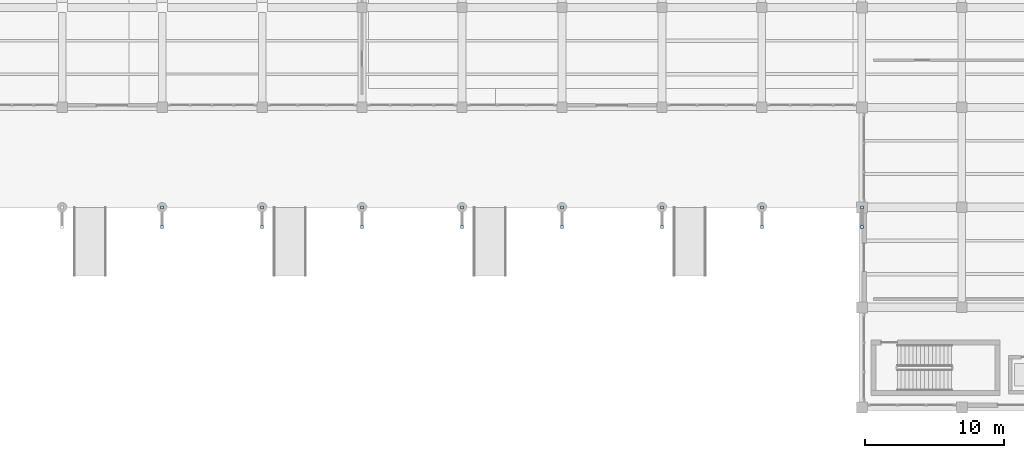
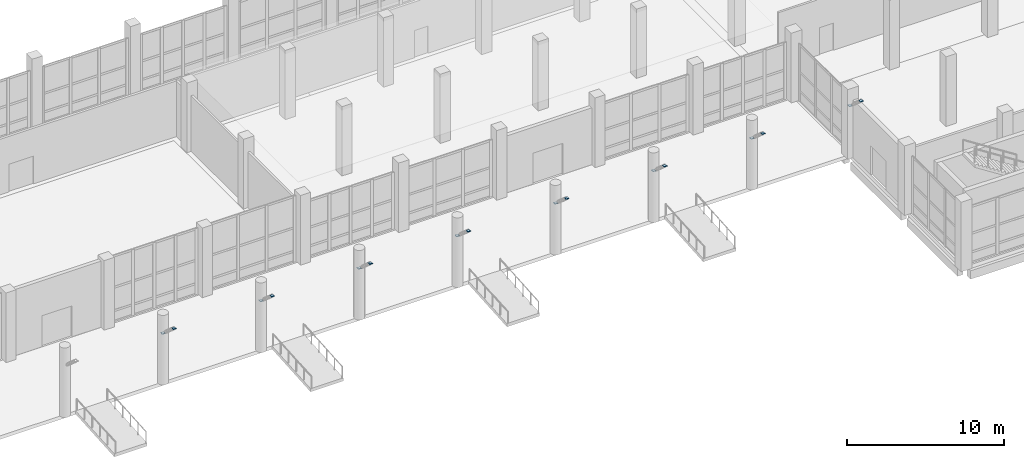
# One storey, part 99 of 137: 16 plates.
"""IFC4 building model written with IfcOpenShell, lengths in metres."""

import ifcopenshell
import ifcopenshell.guid

model = None  # the IFC model being written
_history = None  # IfcOwnerHistory: only IFC2X3 demands one
_inside = {}  # id of a spatial element -> (the spatial element, [elements in it])
_under = {}  # id of a project, library or spatial element -> (it, [spatial elements below it])
_declared = {}  # id of a project -> (the project, [libraries it declares])
_typed = {}  # id of a type object -> (the type object, [elements of that type])
_made_of = {}  # id of a material, layer set ... -> (it, [elements and type objects made of it])


def new_model(schema):
    """Start an empty IFC model of exactly this schema.

    Asked for "IFC4X3", IfcOpenShell would pick the latest addendum, in which some entities
    have other attributes; the version numbers below select the first issue.
    IFC2X3 requires an IfcOwnerHistory on every rooted entity: one is made here for all.
    """
    global model, _history
    if schema == "IFC4X3":
        model = ifcopenshell.file(schema_version=(4, 3, 0, 0))
    else:
        model = ifcopenshell.file(schema=schema)
    _inside.clear()
    _under.clear()
    _declared.clear()
    _typed.clear()
    _made_of.clear()
    _history = None
    if model.schema == "IFC2X3":
        org = make("IfcOrganization", Name="unknown")
        user = make(
            "IfcPersonAndOrganization",
            ThePerson=make("IfcPerson", FamilyName="unknown"),
            TheOrganization=org,
        )
        app = make(
            "IfcApplication",
            ApplicationDeveloper=org,
            Version="unknown",
            ApplicationFullName="unknown",
            ApplicationIdentifier="unknown",
        )
        _history = make(
            "IfcOwnerHistory",
            OwningUser=user,
            OwningApplication=app,
            ChangeAction="ADDED",
            CreationDate=0,
        )
    return model


def make(cls, **values):
    """One entity of the class cls with the attributes given. An attribute that is None is left unset."""
    return model.create_entity(
        cls, **{name: value for name, value in values.items() if value is not None}
    )


def rooted(cls, **values):
    """An entity with a GlobalId (a new one), such as an element, a storey or a relation."""
    return make(cls, GlobalId=ifcopenshell.guid.new(), OwnerHistory=_history, **values)


def si_unit(unit_type, name, prefix=None):
    """IfcSIUnit, for example si_unit("LENGTHUNIT", "METRE", prefix="MILLI")."""
    return make("IfcSIUnit", UnitType=unit_type, Prefix=prefix, Name=name)


def assignment(units):
    """IfcUnitAssignment: the units of a project."""
    return None if units is None else make("IfcUnitAssignment", Units=units)


def point(xyz):
    """IfcCartesianPoint."""
    return None if xyz is None else make("IfcCartesianPoint", Coordinates=xyz)


def direction(xyz):
    """IfcDirection."""
    return None if xyz is None else make("IfcDirection", DirectionRatios=xyz)


def frame(location, z_axis=None, x_axis=None):
    """IfcAxis2Placement3D, a coordinate frame: its origin and axes. An axis left out is left unset."""
    return make(
        "IfcAxis2Placement3D",
        Location=point(location),
        Axis=direction(z_axis),
        RefDirection=direction(x_axis),
    )


def frame_2d(location, x_axis=None):
    """IfcAxis2Placement2D, a coordinate frame in the plane: its origin and x axis."""
    return make(
        "IfcAxis2Placement2D", Location=point(location), RefDirection=direction(x_axis)
    )


def origin():
    """The frame at (0, 0, 0) with its axes left unset."""
    return frame((0.0, 0.0, 0.0))


def origin_2d():
    """The frame at (0, 0) in the plane with its x axis left unset."""
    return frame_2d((0.0, 0.0))


def place(relative_to, where):
    """IfcLocalPlacement: puts the frame where relative to a parent placement (None: the world)."""
    return make(
        "IfcLocalPlacement", PlacementRelTo=relative_to, RelativePlacement=where
    )


def context(
    kind, dimensions, precision=None, world=None, true_north=None, identifier=None
):
    """IfcGeometricRepresentationContext, for example the 3D "Model" context."""
    return make(
        "IfcGeometricRepresentationContext",
        ContextIdentifier=identifier,
        ContextType=kind,
        CoordinateSpaceDimension=dimensions,
        Precision=precision,
        WorldCoordinateSystem=world,
        TrueNorth=true_north,
    )


def subcontext(parent, identifier, kind, view, scale=None):
    """IfcGeometricRepresentationSubContext, for example "Body" below "Model"."""
    return make(
        "IfcGeometricRepresentationSubContext",
        ContextIdentifier=identifier,
        ContextType=kind,
        ParentContext=parent,
        TargetScale=scale,
        TargetView=view,
    )


def project(units=None, contexts=None):
    """IfcProject with its units and contexts."""
    return rooted(
        "IfcProject",
        Name="project",
        RepresentationContexts=contexts,
        UnitsInContext=assignment(units),
    )


def spatial(cls, under=None, at=None, **own):
    """A site, building, storey or space (cls), placed at a placement, below another one or the project."""
    s = rooted(cls, ObjectPlacement=at, **own)
    if under is not None:
        _under.setdefault(under.id(), (under, []))[1].append(s)
    return s


def profile(cls, at=None, kind="AREA", **sizes):
    """A parametric profile (cls). Its sizes go by their IFC names, for example OverallWidth=200.0."""
    return make(cls, ProfileType=kind, Position=at, **sizes)


def rectangle(**sizes):
    """IfcRectangleProfileDef."""
    return profile("IfcRectangleProfileDef", **sizes)


def extrude(swept, where, along, depth):
    """IfcExtrudedAreaSolid: the profile swept, set in the frame where, extruded along a direction by depth."""
    return make(
        "IfcExtrudedAreaSolid",
        SweptArea=swept,
        Position=where,
        ExtrudedDirection=direction(along),
        Depth=depth,
    )


def shape(context_of_items, identifier, shape_type, items):
    """IfcShapeRepresentation: the items that make up one representation, for example the "Body"."""
    return make(
        "IfcShapeRepresentation",
        ContextOfItems=context_of_items,
        RepresentationIdentifier=identifier,
        RepresentationType=shape_type,
        Items=items,
    )


def material(Name=None, Category=None):
    """IfcMaterial."""
    return make("IfcMaterial", Name=Name, Category=Category)


def layer(
    of_material, thickness, ventilated=None, Name=None, Category=None, Priority=None
):
    """IfcMaterialLayer: one layer of a wall or slab, of a material (None: an air gap)."""
    return make(
        "IfcMaterialLayer",
        Material=of_material,
        LayerThickness=thickness,
        IsVentilated=ventilated,
        Name=Name,
        Category=Category,
        Priority=Priority,
    )


def layer_set(layers, Name=None):
    """IfcMaterialLayerSet."""
    return make("IfcMaterialLayerSet", MaterialLayers=layers, LayerSetName=Name)


def made_of(thing, what):
    """Note that an element or type object is made of a material, layer set ...; save() writes the relation."""
    if what is not None:
        _made_of.setdefault(what.id(), (what, []))[1].append(thing)
    return thing


def type_object(cls, material=None, **own):
    """A type object (cls), such as IfcWallType, which elements share."""
    return made_of(rooted(cls, **own), material)


def element(
    cls,
    number,
    at=None,
    inside=None,
    cuts=None,
    type_object=None,
    material=None,
    context=None,
    identifier="Body",
    shape_type=None,
    held_by="IfcProductDefinitionShape",
    body=None,
    shapes=None,
    **own,
):
    """One element of the class cls, such as IfcWall. Its Tag is "e" and its number.

    at: its placement. inside: the storey or other place that contains it. cuts: it is an
    opening in that element (IfcRelVoidsElement). A single representation is given by context,
    identifier, shape_type and body (its items); several are given by shapes. held_by: the class
    of the entity that holds the representations. save() writes the other relations.
    """
    e = rooted(cls, Tag="e%d" % number, ObjectPlacement=at, **own)
    if body is not None:
        shapes = [shape(context, identifier, shape_type, body)]
    if shapes is not None:
        e.Representation = make(held_by, Representations=shapes)
    if inside is not None:
        _inside.setdefault(inside.id(), (inside, []))[1].append(e)
    if cuts is not None:
        rooted(
            "IfcRelVoidsElement", RelatingBuildingElement=cuts, RelatedOpeningElement=e
        )
    if type_object is not None:
        _typed.setdefault(type_object.id(), (type_object, []))[1].append(e)
    return made_of(e, material)


def aggregate(whole, parts):
    """IfcRelAggregates: a whole, such as a stair, and the parts it consists of."""
    return rooted("IfcRelAggregates", RelatingObject=whole, RelatedObjects=parts)


def save(model, path):
    """Write the relations noted so far, then the file.

    IfcRelAggregates (storeys below a building ...), IfcRelContainedInSpatialStructure (elements
    in a storey), IfcRelDefinesByType, IfcRelAssociatesMaterial and IfcRelDeclares: one each for
    every whole, place, type object, material and project.
    """
    for whole, parts in _under.values():
        aggregate(whole, parts)
    for where, things in _inside.values():
        rooted(
            "IfcRelContainedInSpatialStructure",
            RelatedElements=things,
            RelatingStructure=where,
        )
    for kind, things in _typed.values():
        rooted("IfcRelDefinesByType", RelatedObjects=things, RelatingType=kind)
    for what, things in _made_of.values():
        rooted("IfcRelAssociatesMaterial", RelatedObjects=things, RelatingMaterial=what)
    for by, libraries in _declared.values():
        rooted("IfcRelDeclares", RelatingContext=by, RelatedDefinitions=libraries)
    model.write(path)


model = new_model("IFC4")

# Units and contexts
model_context = context("Model", 3, precision=1e-05, world=origin(), true_north=direction((0.0, 1.0)))
body_context = subcontext(model_context, "Body", "Model", "MODEL_VIEW")
ifc_project = project(units=[si_unit("LENGTHUNIT", "METRE"), si_unit("AREAUNIT", "SQUARE_METRE"), si_unit("VOLUMEUNIT", "CUBIC_METRE"), si_unit("PLANEANGLEUNIT", "RADIAN"), si_unit("MASSUNIT", "GRAM", prefix="KILO")], contexts=[model_context])

# Site, building, storey
site_placement = place(None, origin())
site = spatial("IfcSite", under=ifc_project, at=site_placement, CompositionType="ELEMENT")
building_placement = place(site_placement, origin())
building = spatial("IfcBuilding", under=site, at=building_placement, Name="Kalmorath City Hall", CompositionType="ELEMENT")
storey_placement = place(building_placement, origin())
storey = spatial("IfcBuildingStorey", under=building, at=storey_placement, Name="L00", CompositionType="ELEMENT", Elevation=0.0)

# Plates
ifc_material = material(Name="Steel ASTM A572 Grade 50", Category="steel")
ifc_layer = layer(ifc_material, 0.02001953125)
ifc_layer_set = layer_set([ifc_layer], Name="Steel ASTM A572 Grade 50")
plate_type = type_object("IfcPlateType", Name="Steel HSS end-cap plate 220x220x20", PredefinedType="SHEET", material=ifc_layer_set)
for number, where, z_axis, x_axis, name in (
    (1, (64.800048828125, 13.0, 5.010009765625), (0.0, 0.0, 1.0), (1.0, 0.0, 0.0), "Arcade strut end-cap GP5-5"),
    (2, (64.800048828125, 14.39990234375, 3.7900390625), (0.0, 0.0, 1.0), (1.0, 0.0, 0.0), "Arcade strut base-cap GP5-5"),
    (3, (72.0, 13.0, 5.010009765625), (0.0, 0.0, 1.0), (1.0, 0.0, 0.0), "Arcade strut end-cap GP5-6"),
    (4, (72.0, 14.39990234375, 3.7900390625), (0.0, 0.0, 1.0), (1.0, 0.0, 0.0), "Arcade strut base-cap GP5-6"),
    (5, (79.199951171875, 13.0, 5.010009765625), (0.0, 0.0, 1.0), (1.0, 0.0, 0.0), "Arcade strut end-cap GP5-7"),
    (6, (79.199951171875, 14.39990234375, 3.7900390625), (0.0, 0.0, 1.0), (1.0, 0.0, 0.0), "Arcade strut base-cap GP5-7"),
    (7, (86.39990234375, 13.0, 5.010009765625), (0.0, 0.0, 1.0), (1.0, 0.0, 0.0), "Arcade strut end-cap GP5-8"),
    (8, (86.39990234375, 14.39990234375, 3.7900390625), (0.0, 0.0, 1.0), (1.0, 0.0, 0.0), "Arcade strut base-cap GP5-8"),
    (9, (93.60009765625, 13.0, 5.010009765625), (0.0, 0.0, 1.0), (1.0, 0.0, 0.0), "Arcade strut end-cap GP5-9"),
    (10, (93.60009765625, 14.39990234375, 3.7900390625), (0.0, 0.0, 1.0), (1.0, 0.0, 0.0), "Arcade strut base-cap GP5-9"),
    (11, (100.800048828125, 13.0, 5.010009765625), (0.0, 0.0, 1.0), (1.0, 0.0, 0.0), "Arcade strut end-cap GP5-10"),
    (12, (100.800048828125, 14.39990234375, 3.7900390625), (0.0, 0.0, 1.0), (1.0, 0.0, 0.0), "Arcade strut base-cap GP5-10"),
    (13, (108.0, 13.0, 5.010009765625), (0.0, 0.0, 1.0), (1.0, 0.0, 0.0), "Arcade strut end-cap GP5-11"),
    (14, (108.0, 14.39990234375, 3.7900390625), (0.0, 0.0, 1.0), (1.0, 0.0, 0.0), "Arcade strut base-cap GP5-11"),
    (15, (115.199951171875, 13.0, 5.010009765625), (0.0, 0.0, 1.0), (1.0, 0.0, 0.0), "Arcade strut end-cap GP5-12"),
    (16, (115.199951171875, 14.39990234375, 3.7900390625), (0.0, 0.0, 1.0), (1.0, 0.0, 0.0), "Arcade strut base-cap GP5-12"),
):
    element("IfcPlate", number, at=place(storey_placement, frame(where, z_axis=z_axis, x_axis=x_axis)), inside=storey, type_object=plate_type, Name=name, PredefinedType="SHEET", context=body_context, shape_type="SweptSolid", body=[
        extrude(rectangle(XDim=0.219970703125, YDim=0.219970703125, at=origin_2d()), origin(), (0.0, 0.0, 1.0), 0.02001953125),
    ])

save(model, "model.ifc")
